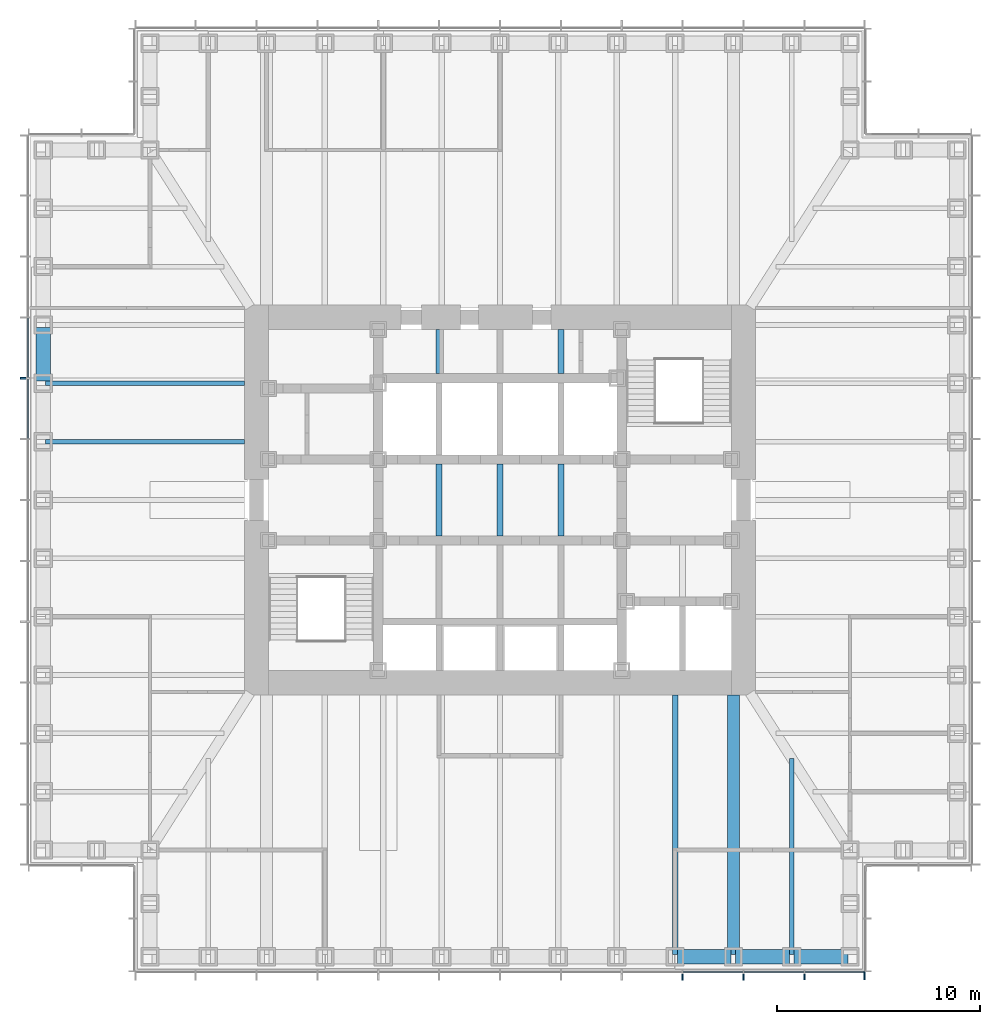
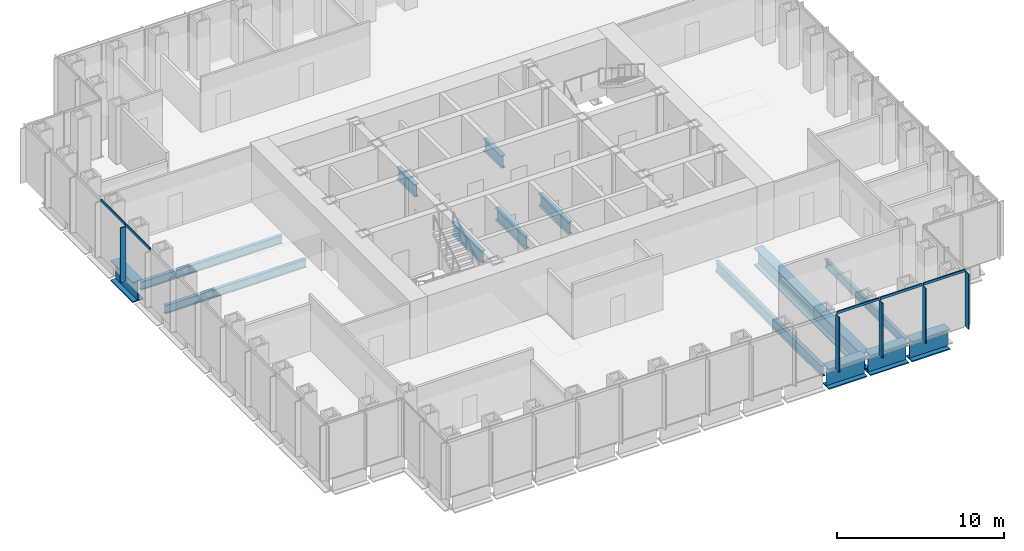
# One storey, part 3 of 16: 14 beams, 10 members, 2 elements without a shape of their own.
"""IFC4 building model written with IfcOpenShell, lengths in metres."""

import ifcopenshell
import ifcopenshell.guid

model = None  # the IFC model being written
_history = None  # IfcOwnerHistory: only IFC2X3 demands one
_inside = {}  # id of a spatial element -> (the spatial element, [elements in it])
_under = {}  # id of a project, library or spatial element -> (it, [spatial elements below it])
_declared = {}  # id of a project -> (the project, [libraries it declares])
_typed = {}  # id of a type object -> (the type object, [elements of that type])
_made_of = {}  # id of a material, layer set ... -> (it, [elements and type objects made of it])


def new_model(schema):
    """Start an empty IFC model of exactly this schema.

    Asked for "IFC4X3", IfcOpenShell would pick the latest addendum, in which some entities
    have other attributes; the version numbers below select the first issue.
    IFC2X3 requires an IfcOwnerHistory on every rooted entity: one is made here for all.
    """
    global model, _history
    if schema == "IFC4X3":
        model = ifcopenshell.file(schema_version=(4, 3, 0, 0))
    else:
        model = ifcopenshell.file(schema=schema)
    _inside.clear()
    _under.clear()
    _declared.clear()
    _typed.clear()
    _made_of.clear()
    _history = None
    if model.schema == "IFC2X3":
        org = make("IfcOrganization", Name="unknown")
        user = make(
            "IfcPersonAndOrganization",
            ThePerson=make("IfcPerson", FamilyName="unknown"),
            TheOrganization=org,
        )
        app = make(
            "IfcApplication",
            ApplicationDeveloper=org,
            Version="unknown",
            ApplicationFullName="unknown",
            ApplicationIdentifier="unknown",
        )
        _history = make(
            "IfcOwnerHistory",
            OwningUser=user,
            OwningApplication=app,
            ChangeAction="ADDED",
            CreationDate=0,
        )
    return model


def make(cls, **values):
    """One entity of the class cls with the attributes given. An attribute that is None is left unset."""
    return model.create_entity(
        cls, **{name: value for name, value in values.items() if value is not None}
    )


def rooted(cls, **values):
    """An entity with a GlobalId (a new one), such as an element, a storey or a relation."""
    return make(cls, GlobalId=ifcopenshell.guid.new(), OwnerHistory=_history, **values)


def si_unit(unit_type, name, prefix=None):
    """IfcSIUnit, for example si_unit("LENGTHUNIT", "METRE", prefix="MILLI")."""
    return make("IfcSIUnit", UnitType=unit_type, Prefix=prefix, Name=name)


def assignment(units):
    """IfcUnitAssignment: the units of a project."""
    return None if units is None else make("IfcUnitAssignment", Units=units)


def point(xyz):
    """IfcCartesianPoint."""
    return None if xyz is None else make("IfcCartesianPoint", Coordinates=xyz)


def direction(xyz):
    """IfcDirection."""
    return None if xyz is None else make("IfcDirection", DirectionRatios=xyz)


def frame(location, z_axis=None, x_axis=None):
    """IfcAxis2Placement3D, a coordinate frame: its origin and axes. An axis left out is left unset."""
    return make(
        "IfcAxis2Placement3D",
        Location=point(location),
        Axis=direction(z_axis),
        RefDirection=direction(x_axis),
    )


def frame_2d(location, x_axis=None):
    """IfcAxis2Placement2D, a coordinate frame in the plane: its origin and x axis."""
    return make(
        "IfcAxis2Placement2D", Location=point(location), RefDirection=direction(x_axis)
    )


def origin():
    """The frame at (0, 0, 0) with its axes left unset."""
    return frame((0.0, 0.0, 0.0))


def origin_2d():
    """The frame at (0, 0) in the plane with its x axis left unset."""
    return frame_2d((0.0, 0.0))


def place(relative_to, where):
    """IfcLocalPlacement: puts the frame where relative to a parent placement (None: the world)."""
    return make(
        "IfcLocalPlacement", PlacementRelTo=relative_to, RelativePlacement=where
    )


def context(
    kind, dimensions, precision=None, world=None, true_north=None, identifier=None
):
    """IfcGeometricRepresentationContext, for example the 3D "Model" context."""
    return make(
        "IfcGeometricRepresentationContext",
        ContextIdentifier=identifier,
        ContextType=kind,
        CoordinateSpaceDimension=dimensions,
        Precision=precision,
        WorldCoordinateSystem=world,
        TrueNorth=true_north,
    )


def subcontext(parent, identifier, kind, view, scale=None):
    """IfcGeometricRepresentationSubContext, for example "Body" below "Model"."""
    return make(
        "IfcGeometricRepresentationSubContext",
        ContextIdentifier=identifier,
        ContextType=kind,
        ParentContext=parent,
        TargetScale=scale,
        TargetView=view,
    )


def project(units=None, contexts=None):
    """IfcProject with its units and contexts."""
    return rooted(
        "IfcProject",
        Name="project",
        RepresentationContexts=contexts,
        UnitsInContext=assignment(units),
    )


def spatial(cls, under=None, at=None, **own):
    """A site, building, storey or space (cls), placed at a placement, below another one or the project."""
    s = rooted(cls, ObjectPlacement=at, **own)
    if under is not None:
        _under.setdefault(under.id(), (under, []))[1].append(s)
    return s


def profile(cls, at=None, kind="AREA", **sizes):
    """A parametric profile (cls). Its sizes go by their IFC names, for example OverallWidth=200.0."""
    return make(cls, ProfileType=kind, Position=at, **sizes)


def rectangle(**sizes):
    """IfcRectangleProfileDef."""
    return profile("IfcRectangleProfileDef", **sizes)


def i_section(**sizes):
    """IfcIShapeProfileDef."""
    return profile("IfcIShapeProfileDef", **sizes)


def extrude(swept, where, along, depth):
    """IfcExtrudedAreaSolid: the profile swept, set in the frame where, extruded along a direction by depth."""
    return make(
        "IfcExtrudedAreaSolid",
        SweptArea=swept,
        Position=where,
        ExtrudedDirection=direction(along),
        Depth=depth,
    )


def shape(context_of_items, identifier, shape_type, items):
    """IfcShapeRepresentation: the items that make up one representation, for example the "Body"."""
    return make(
        "IfcShapeRepresentation",
        ContextOfItems=context_of_items,
        RepresentationIdentifier=identifier,
        RepresentationType=shape_type,
        Items=items,
    )


def material(Name=None, Category=None):
    """IfcMaterial."""
    return make("IfcMaterial", Name=Name, Category=Category)


def material_profile(
    of_material, cross_section, Name=None, Category=None, Priority=None
):
    """IfcMaterialProfile: a cross section and its material."""
    return make(
        "IfcMaterialProfile",
        Name=Name,
        Material=of_material,
        Profile=cross_section,
        Priority=Priority,
        Category=Category,
    )


def profile_set(profiles, Name=None, composite=None):
    """IfcMaterialProfileSet."""
    return make(
        "IfcMaterialProfileSet",
        Name=Name,
        MaterialProfiles=profiles,
        CompositeProfile=composite,
    )


def made_of(thing, what):
    """Note that an element or type object is made of a material, layer set ...; save() writes the relation."""
    if what is not None:
        _made_of.setdefault(what.id(), (what, []))[1].append(thing)
    return thing


def type_object(cls, material=None, **own):
    """A type object (cls), such as IfcWallType, which elements share."""
    return made_of(rooted(cls, **own), material)


def element(
    cls,
    number,
    at=None,
    inside=None,
    cuts=None,
    type_object=None,
    material=None,
    context=None,
    identifier="Body",
    shape_type=None,
    held_by="IfcProductDefinitionShape",
    body=None,
    shapes=None,
    **own,
):
    """One element of the class cls, such as IfcWall. Its Tag is "e" and its number.

    at: its placement. inside: the storey or other place that contains it. cuts: it is an
    opening in that element (IfcRelVoidsElement). A single representation is given by context,
    identifier, shape_type and body (its items); several are given by shapes. held_by: the class
    of the entity that holds the representations. save() writes the other relations.
    """
    e = rooted(cls, Tag="e%d" % number, ObjectPlacement=at, **own)
    if body is not None:
        shapes = [shape(context, identifier, shape_type, body)]
    if shapes is not None:
        e.Representation = make(held_by, Representations=shapes)
    if inside is not None:
        _inside.setdefault(inside.id(), (inside, []))[1].append(e)
    if cuts is not None:
        rooted(
            "IfcRelVoidsElement", RelatingBuildingElement=cuts, RelatedOpeningElement=e
        )
    if type_object is not None:
        _typed.setdefault(type_object.id(), (type_object, []))[1].append(e)
    return made_of(e, material)


def aggregate(whole, parts):
    """IfcRelAggregates: a whole, such as a stair, and the parts it consists of."""
    return rooted("IfcRelAggregates", RelatingObject=whole, RelatedObjects=parts)


def save(model, path):
    """Write the relations noted so far, then the file.

    IfcRelAggregates (storeys below a building ...), IfcRelContainedInSpatialStructure (elements
    in a storey), IfcRelDefinesByType, IfcRelAssociatesMaterial and IfcRelDeclares: one each for
    every whole, place, type object, material and project.
    """
    for whole, parts in _under.values():
        aggregate(whole, parts)
    for where, things in _inside.values():
        rooted(
            "IfcRelContainedInSpatialStructure",
            RelatedElements=things,
            RelatingStructure=where,
        )
    for kind, things in _typed.values():
        rooted("IfcRelDefinesByType", RelatedObjects=things, RelatingType=kind)
    for what, things in _made_of.values():
        rooted("IfcRelAssociatesMaterial", RelatedObjects=things, RelatingMaterial=what)
    for by, libraries in _declared.values():
        rooted("IfcRelDeclares", RelatingContext=by, RelatedDefinitions=libraries)
    model.write(path)


model = new_model("IFC4")

# Units and contexts
model_context = context("Model", 3, precision=1e-05, world=origin(), true_north=direction((0.0, 1.0)))
body_context = subcontext(model_context, "Body", "Model", "MODEL_VIEW")
ifc_project = project(units=[si_unit("LENGTHUNIT", "METRE"), si_unit("AREAUNIT", "SQUARE_METRE"), si_unit("VOLUMEUNIT", "CUBIC_METRE"), si_unit("PLANEANGLEUNIT", "RADIAN"), si_unit("MASSUNIT", "GRAM", prefix="KILO")], contexts=[model_context])

# Site, building, storey
site_placement = place(None, origin())
site = spatial("IfcSite", under=ifc_project, at=site_placement, CompositionType="ELEMENT")
building_placement = place(site_placement, origin())
building = spatial("IfcBuilding", under=site, at=building_placement, Name="Daluyong Arena Tower", CompositionType="ELEMENT")
storey_placement = place(building_placement, frame((0.0, 0.0, 141.699951171875)))
storey = spatial("IfcBuildingStorey", under=building, at=storey_placement, Name="L31", CompositionType="ELEMENT", Elevation=141.699951171875)

# Curtain wall, members
ifc_material_1 = material(Name="Bronze anodised aluminium and glass", Category="aluminium")
curtain_wall_type = type_object("IfcCurtainWallType", Name="Curtain wall CW2", PredefinedType="USERDEFINED", material=ifc_material_1)
curtain_wall_1_placement = place(storey_placement, origin())
curtain_wall_1 = element("IfcCurtainWall", 1, at=curtain_wall_1_placement, inside=storey, type_object=curtain_wall_type, Name="curtain wall L31 S", ObjectType="UNITISED CURTAIN WALL", PredefinedType="USERDEFINED")
ifc_material_2 = material(Name="Bronze anodised aluminium fin", Category="aluminium")
ifc_material_profile_1 = material_profile(ifc_material_2, rectangle(XDim=0.39990234375, YDim=0.080078125, at=origin_2d()))
ifc_profile_set_1 = profile_set([ifc_material_profile_1], Name="Bronze anodised aluminium fin")
member_type_1 = type_object("IfcMemberType", Name="CW2 bronze fin 400x80", PredefinedType="MULLION", material=ifc_profile_set_1)
member_1_placement = place(storey_placement, frame((65.0, 56.550048828125, 0.0), z_axis=(0.0, 0.0, 1.0), x_axis=(0.0, 1.0, 0.0)))
member_1 = element("IfcMember", 2, at=member_1_placement, type_object=member_type_1, Name="curtain wall L31 S fin 10", PredefinedType="MULLION", context=body_context, shape_type="SweptSolid", body=[
    extrude(rectangle(XDim=0.39990234375, YDim=0.080078125, at=origin_2d()), origin(), (0.0, 0.0, 1.0), 4.02001953125),
])
member_2_placement = place(storey_placement, frame((68.0, 56.550048828125, 0.0), z_axis=(0.0, 0.0, 1.0), x_axis=(0.0, 1.0, 0.0)))
member_2 = element("IfcMember", 3, at=member_2_placement, type_object=member_type_1, Name="curtain wall L31 S fin 11", PredefinedType="MULLION", context=body_context, shape_type="SweptSolid", body=[
    extrude(rectangle(XDim=0.39990234375, YDim=0.080078125, at=origin_2d()), origin(), (0.0, 0.0, 1.0), 4.02001953125),
])
member_3_placement = place(storey_placement, frame((71.0, 56.550048828125, 0.0), z_axis=(0.0, 0.0, 1.0), x_axis=(0.0, 1.0, 0.0)))
member_3 = element("IfcMember", 4, at=member_3_placement, type_object=member_type_1, Name="curtain wall L31 S fin 12", PredefinedType="MULLION", context=body_context, shape_type="SweptSolid", body=[
    extrude(rectangle(XDim=0.39990234375, YDim=0.080078125, at=origin_2d()), origin(), (0.0, 0.0, 1.0), 4.02001953125),
])
member_4_placement = place(storey_placement, frame((73.9599609375, 56.550048828125, 0.0), z_axis=(0.0, 0.0, 1.0), x_axis=(0.0, 1.0, 0.0)))
member_4 = element("IfcMember", 5, at=member_4_placement, type_object=member_type_1, Name="curtain wall L31 S fin 13", PredefinedType="MULLION", context=body_context, shape_type="SweptSolid", body=[
    extrude(rectangle(XDim=0.39990234375, YDim=0.080078125, at=origin_2d()), origin(), (0.0, 0.0, 1.0), 4.02001953125),
])

# Curtain wall, member
curtain_wall_2_placement = place(storey_placement, origin())
curtain_wall_2 = element("IfcCurtainWall", 6, at=curtain_wall_2_placement, inside=storey, type_object=curtain_wall_type, Name="curtain wall L31 W", ObjectType="UNITISED CURTAIN WALL", PredefinedType="USERDEFINED")
member_5_placement = place(storey_placement, frame((32.550048828125, 86.0, 0.0), z_axis=(0.0, 0.0, 1.0), x_axis=(1.0, 0.0, 0.0)))
member_5 = element("IfcMember", 7, at=member_5_placement, type_object=member_type_1, Name="curtain wall L31 W fin 5", PredefinedType="MULLION", context=body_context, shape_type="SweptSolid", body=[
    extrude(rectangle(XDim=0.39990234375, YDim=0.080078125, at=origin_2d()), origin(), (0.0, 0.0, 1.0), 4.02001953125),
])

# Member
ifc_material_3 = material(Name="Bronze anodised aluminium", Category="aluminium")
ifc_material_profile_2 = material_profile(ifc_material_3, rectangle(XDim=0.080078125, YDim=0.179931640625, at=origin_2d()))
ifc_profile_set_2 = profile_set([ifc_material_profile_2], Name="Bronze anodised aluminium")
member_type_2 = type_object("IfcMemberType", Name="CW2 stack transom 180x80", PredefinedType="USERDEFINED", material=ifc_profile_set_2)
member_6_placement = place(storey_placement, frame((65.0400390625, 56.75, 4.110107421875), z_axis=(1.0, 0.0, 0.0), x_axis=(0.0, 1.0, 0.0)))
member_6 = element("IfcMember", 8, at=member_6_placement, type_object=member_type_2, Name="curtain wall L31 S transom 10", ObjectType="TRANSOM", PredefinedType="USERDEFINED", context=body_context, shape_type="SweptSolid", body=[
    extrude(rectangle(XDim=0.080078125, YDim=0.179931640625, at=origin_2d()), origin(), (0.0, 0.0, 1.0), 2.919921875),
])

member_7_placement = place(storey_placement, frame((68.0400390625, 56.75, 4.110107421875), z_axis=(1.0, 0.0, 0.0), x_axis=(0.0, 1.0, 0.0)))
member_7 = element("IfcMember", 9, at=member_7_placement, type_object=member_type_2, Name="curtain wall L31 S transom 11", ObjectType="TRANSOM", PredefinedType="USERDEFINED", context=body_context, shape_type="SweptSolid", body=[
    extrude(rectangle(XDim=0.080078125, YDim=0.179931640625, at=origin_2d()), origin(), (0.0, 0.0, 1.0), 2.919921875),
])

member_8_placement = place(storey_placement, frame((71.0400390625, 56.75, 4.110107421875), z_axis=(1.0, 0.0, 0.0), x_axis=(0.0, 1.0, 0.0)))
member_8 = element("IfcMember", 10, at=member_8_placement, type_object=member_type_2, Name="curtain wall L31 S transom 12", ObjectType="TRANSOM", PredefinedType="USERDEFINED", context=body_context, shape_type="SweptSolid", body=[
    extrude(rectangle(XDim=0.080078125, YDim=0.179931640625, at=origin_2d()), origin(), (0.0, 0.0, 1.0), 2.8798828125),
])

aggregate(curtain_wall_1, [member_1, member_2, member_3, member_4, member_6, member_7, member_8])

member_9_placement = place(storey_placement, frame((32.75, 88.9599609375, 4.110107421875), z_axis=(0.0, -1.0, 0.0), x_axis=(1.0, 0.0, 0.0)))
member_9 = element("IfcMember", 11, at=member_9_placement, type_object=member_type_2, Name="curtain wall L31 W transom 4", ObjectType="TRANSOM", PredefinedType="USERDEFINED", context=body_context, shape_type="SweptSolid", body=[
    extrude(rectangle(XDim=0.080078125, YDim=0.179931640625, at=origin_2d()), origin(), (0.0, 0.0, 1.0), 2.919921875),
])

member_10_placement = place(storey_placement, frame((32.75, 85.9599609375, 4.110107421875), z_axis=(0.0, -1.0, 0.0), x_axis=(1.0, 0.0, 0.0)))
member_10 = element("IfcMember", 12, at=member_10_placement, type_object=member_type_2, Name="curtain wall L31 W transom 5", ObjectType="TRANSOM", PredefinedType="USERDEFINED", context=body_context, shape_type="SweptSolid", body=[
    extrude(rectangle(XDim=0.080078125, YDim=0.179931640625, at=origin_2d()), origin(), (0.0, 0.0, 1.0), 2.919921875),
])

aggregate(curtain_wall_2, [member_5, member_9, member_10])

# Beams
ifc_material_4 = material(Name="Steel ASTM A572 Grade 50", Category="steel")
ifc_material_profile_3 = material_profile(ifc_material_4, i_section(OverallWidth=0.60009765625, OverallDepth=1.300048828125, WebThickness=0.035, FlangeThickness=0.07, at=origin_2d()))
ifc_profile_set_3 = profile_set([ifc_material_profile_3], Name="Steel ASTM A572 Grade 50")
beam_type_1 = type_object("IfcBeamType", Name="Floor beam TB1300X600", PredefinedType="BEAM", material=ifc_profile_set_3)
beam_1_placement = place(storey_placement, frame((67.5, 57.614990234375, -0.81005859375), z_axis=(0.0, 1.0, 0.0), x_axis=(-1.0, 0.0, 0.0)))
element("IfcBeam", 13, at=beam_1_placement, inside=storey, type_object=beam_type_1, Name="floor beam FB7", PredefinedType="BEAM", context=body_context, shape_type="SweptSolid", body=[
    extrude(i_section(OverallWidth=0.60009765625, OverallDepth=1.300048828125, WebThickness=0.035, FlangeThickness=0.07, at=origin_2d()), origin(), (0.0, 0.0, 1.0), 12.784912109375),
])
ifc_material_5 = material(Name="Steel ASTM A992 Grade 50", Category="steel")
ifc_material_profile_4 = material_profile(ifc_material_5, i_section(OverallWidth=0.22900390625, OverallDepth=0.612060546875, WebThickness=0.011962890625, FlangeThickness=0.01953125, at=origin_2d()))
ifc_profile_set_4 = profile_set([ifc_material_profile_4], Name="Steel ASTM A992 Grade 50")
beam_type_2 = type_object("IfcBeamType", Name="Floor beam W24X84", PredefinedType="BEAM", material=ifc_profile_set_4)
beam_2_placement = place(storey_placement, frame((70.375, 57.614990234375, -0.466064453125), z_axis=(0.0, 1.0, 0.0), x_axis=(-1.0, 0.0, 0.0)))
element("IfcBeam", 14, at=beam_2_placement, inside=storey, type_object=beam_type_2, Name="floor beam FB3", PredefinedType="BEAM", context=body_context, shape_type="SweptSolid", body=[
    extrude(i_section(OverallWidth=0.22900390625, OverallDepth=0.612060546875, WebThickness=0.011962890625, FlangeThickness=0.01953125, at=origin_2d()), origin(), (0.0, 0.0, 1.0), 9.65283203125),
])
for number, where, z_axis, x_axis, name in (
    (15, (33.614990234375, 85.75, -0.466064453125), (1.0, 0.0, 0.0), (0.0, 1.0, 0.0), "floor beam FB3"),
    (16, (33.614990234375, 82.875, -0.466064453125), (1.0, 0.0, 0.0), (0.0, 1.0, 0.0), "floor beam FB3"),
):
    element("IfcBeam", number, at=place(storey_placement, frame(where, z_axis=z_axis, x_axis=x_axis)), inside=storey, type_object=beam_type_2, Name=name, PredefinedType="BEAM", context=body_context, shape_type="SweptSolid", body=[
        extrude(i_section(OverallWidth=0.22900390625, OverallDepth=0.612060546875, WebThickness=0.011962890625, FlangeThickness=0.01953125, at=origin_2d()), origin(), (0.0, 0.0, 1.0), 9.784912109375),
    ])
ifc_material_6 = material(Name="Steel ASTM A992 Grade 50", Category="steel")
ifc_material_profile_5 = material_profile(ifc_material_6, i_section(OverallWidth=0.2666015625, OverallDepth=0.761962890625, WebThickness=0.014404296875, FlangeThickness=0.021484375, at=origin_2d()))
ifc_profile_set_5 = profile_set([ifc_material_profile_5], Name="Steel ASTM A992 Grade 50")
beam_type_3 = type_object("IfcBeamType", Name="Floor beam W30X116", PredefinedType="BEAM", material=ifc_profile_set_5)
beam_3_placement = place(storey_placement, frame((64.625, 57.614990234375, -0.541015625), z_axis=(0.0, 1.0, 0.0), x_axis=(-1.0, 0.0, 0.0)))
element("IfcBeam", 17, at=beam_3_placement, inside=storey, type_object=beam_type_3, Name="floor beam FB4", PredefinedType="BEAM", context=body_context, shape_type="SweptSolid", body=[
    extrude(i_section(OverallWidth=0.2666015625, OverallDepth=0.761962890625, WebThickness=0.014404296875, FlangeThickness=0.021484375, at=origin_2d()), origin(), (0.0, 0.0, 1.0), 12.784912109375),
])
ifc_material_7 = material(Name="Steel ASTM A572 Grade 50", Category="steel")
ifc_material_profile_6 = material_profile(ifc_material_7, i_section(OverallWidth=0.300048828125, OverallDepth=0.89990234375, WebThickness=0.025, FlangeThickness=0.04, at=origin_2d()))
ifc_profile_set_6 = profile_set([ifc_material_profile_6], Name="Steel ASTM A572 Grade 50")
beam_type_4 = type_object("IfcBeamType", Name="Lift divider beam PG900X300", PredefinedType="BEAM", material=ifc_profile_set_6)
beam_4_placement = place(storey_placement, frame((53.0, 78.22509765625, -0.60986328125), z_axis=(0.0, 1.0, 0.0), x_axis=(-1.0, 0.0, 0.0)))
element("IfcBeam", 18, at=beam_4_placement, inside=storey, type_object=beam_type_4, Name="lift divider beam DB1", PredefinedType="BEAM", context=body_context, shape_type="SweptSolid", body=[
    extrude(i_section(OverallWidth=0.300048828125, OverallDepth=0.89990234375, WebThickness=0.025, FlangeThickness=0.04, at=origin_2d()), origin(), (0.0, 0.0, 1.0), 3.5498046875),
])
beam_5_placement = place(storey_placement, frame((53.0, 86.22509765625, -0.60986328125), z_axis=(0.0, 1.0, 0.0), x_axis=(-1.0, 0.0, 0.0)))
element("IfcBeam", 19, at=beam_5_placement, inside=storey, type_object=beam_type_4, Name="lift divider beam DB1", PredefinedType="BEAM", context=body_context, shape_type="SweptSolid", body=[
    extrude(i_section(OverallWidth=0.300048828125, OverallDepth=0.89990234375, WebThickness=0.025, FlangeThickness=0.04, at=origin_2d()), origin(), (0.0, 0.0, 1.0), 2.1748046875),
])
for number, where, z_axis, x_axis, name in (
    (20, (56.0, 78.22509765625, -0.60986328125), (0.0, 1.0, 0.0), (-1.0, 0.0, 0.0), "lift divider beam DB1"),
    (21, (59.0, 78.22509765625, -0.60986328125), (0.0, 1.0, 0.0), (-1.0, 0.0, 0.0), "lift divider beam DB1"),
):
    element("IfcBeam", number, at=place(storey_placement, frame(where, z_axis=z_axis, x_axis=x_axis)), inside=storey, type_object=beam_type_4, Name=name, PredefinedType="BEAM", context=body_context, shape_type="SweptSolid", body=[
        extrude(i_section(OverallWidth=0.300048828125, OverallDepth=0.89990234375, WebThickness=0.025, FlangeThickness=0.04, at=origin_2d()), origin(), (0.0, 0.0, 1.0), 3.5498046875),
    ])
beam_6_placement = place(storey_placement, frame((59.0, 86.22509765625, -0.60986328125), z_axis=(0.0, 1.0, 0.0), x_axis=(-1.0, 0.0, 0.0)))
element("IfcBeam", 22, at=beam_6_placement, inside=storey, type_object=beam_type_4, Name="lift divider beam DB1", PredefinedType="BEAM", context=body_context, shape_type="SweptSolid", body=[
    extrude(i_section(OverallWidth=0.300048828125, OverallDepth=0.89990234375, WebThickness=0.025, FlangeThickness=0.04, at=origin_2d()), origin(), (0.0, 0.0, 1.0), 2.1748046875),
])
ifc_material_8 = material(Name="Steel ASTM A572 Grade 50", Category="steel")
ifc_material_profile_7 = material_profile(ifc_material_8, i_section(OverallWidth=0.699951171875, OverallDepth=1.5, WebThickness=0.04, FlangeThickness=0.08, at=origin_2d()))
ifc_profile_set_7 = profile_set([ifc_material_profile_7], Name="Steel ASTM A572 Grade 50")
beam_type_5 = type_object("IfcBeamType", Name="Spandrel Z2 PG1500X700", PredefinedType="SPANDREL", material=ifc_profile_set_7)
for number, where, z_axis, x_axis, name in (
    (23, (64.739990234375, 57.5, -0.909912109375), (1.0, 0.0, 0.0), (0.0, 1.0, 0.0), "spandrel z2 SB6"),
    (24, (67.614990234375, 57.5, -0.909912109375), (1.0, 0.0, 0.0), (0.0, 1.0, 0.0), "spandrel z2 SB6"),
    (25, (70.489990234375, 57.5, -0.909912109375), (1.0, 0.0, 0.0), (0.0, 1.0, 0.0), "spandrel z2 SB6"),
    (26, (33.5, 88.510009765625, -0.909912109375), (0.0, -1.0, 0.0), (1.0, 0.0, 0.0), "spandrel z2 SB6"),
):
    element("IfcBeam", number, at=place(storey_placement, frame(where, z_axis=z_axis, x_axis=x_axis)), inside=storey, type_object=beam_type_5, Name=name, PredefinedType="SPANDREL", context=body_context, shape_type="SweptSolid", body=[
        extrude(i_section(OverallWidth=0.699951171875, OverallDepth=1.5, WebThickness=0.04, FlangeThickness=0.08, at=origin_2d()), origin(), (0.0, 0.0, 1.0), 2.64501953125),
    ])

save(model, "model.ifc")
